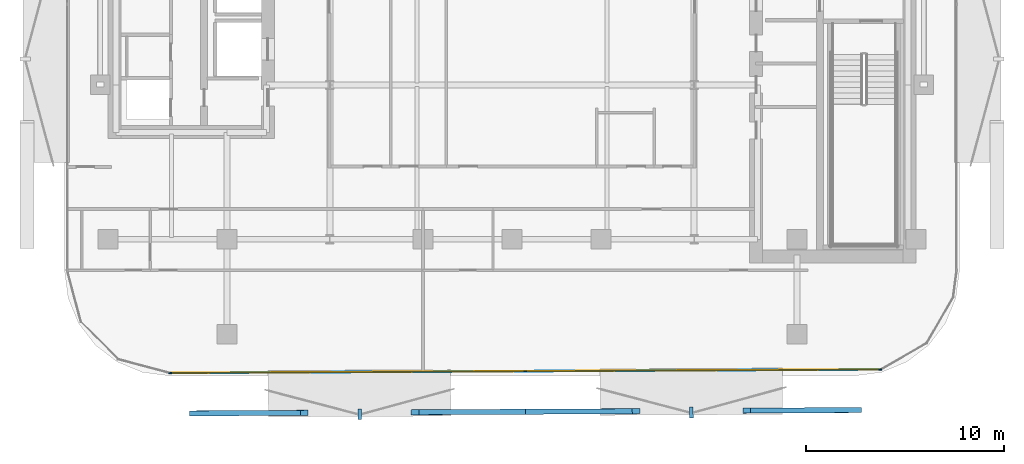
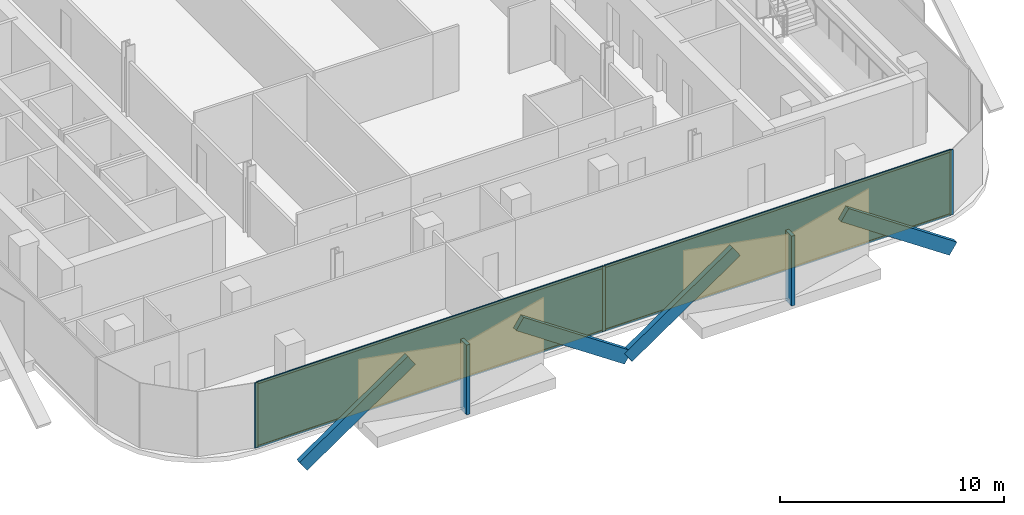
# One storey, part 8 of 16: 13 members, 2 plates, 1 curtain wall.
"""IFC4 building model written with IfcOpenShell, lengths in metres."""

from ifc_helpers import new_model, si_unit, direction, frame, frame_2d, origin, origin_2d, place, context, subcontext, project, spatial, rectangle, extrude, material, layer, layer_set, material_profile, profile_set, type_object, element, aggregate, save


model = new_model("IFC4")

# Units and contexts
model_context = context("Model", 3, precision=1e-05, world=origin(), true_north=direction((0.0, 1.0)))
body_context = subcontext(model_context, "Body", "Model", "MODEL_VIEW")
ifc_project = project(units=[si_unit("LENGTHUNIT", "METRE"), si_unit("AREAUNIT", "SQUARE_METRE"), si_unit("VOLUMEUNIT", "CUBIC_METRE"), si_unit("PLANEANGLEUNIT", "RADIAN"), si_unit("MASSUNIT", "GRAM", prefix="KILO")], contexts=[model_context])

# Member
ifc_material_1 = material(Name="Anodised Bronze Aluminium 6063-T6", Category="aluminium")
ifc_material_profile_1 = material_profile(ifc_material_1, rectangle(XDim=0.260009765625, YDim=0.699951171875, at=origin_2d()))
ifc_profile_set_1 = profile_set([ifc_material_profile_1], Name="Anodised Bronze Aluminium 6063-T6")
member_type_1 = type_object("IfcMemberType", Name="Bronze Diamond Solar-Screen Lattice Rib BDL-700", PredefinedType="MULLION", material=ifc_profile_set_1)
site_placement = place(None, origin())
building_placement = place(site_placement, origin())
storey_placement = place(building_placement, frame((0.0, 0.0, 184.0)))
member_1_placement = place(storey_placement, frame((17.4453125, -27.22900390625, -0.1298828125), z_axis=(-0.826905619477, -0.004046551727, 0.562326170382), x_axis=(-0.007641490936, 0.999962638045, -0.004041055487)))
member_1 = element("IfcMember", 1, at=member_1_placement, type_object=member_type_1, Name="L42 Bronze Diamond Solar Screen Lattice Rib 273A", PredefinedType="MULLION", context=body_context, shape_type="SweptSolid", body=[
    extrude(rectangle(XDim=0.260009765625, YDim=0.699951171875, at=origin_2d()), origin(), (0.0, 0.0, 1.0), 6.75732421875),
])

member_2_placement = place(storey_placement, frame((0.682373046875, -27.3115234375, -0.1298828125), z_axis=(0.826905498042, 0.004082681054, 0.562326087802), x_axis=(0.007685180763, -0.999962303222, -0.004041055761)))
member_2 = element("IfcMember", 2, at=member_2_placement, type_object=member_type_1, Name="L42 Bronze Diamond Solar Screen Lattice Rib 273B", PredefinedType="MULLION", context=body_context, shape_type="SweptSolid", body=[
    extrude(rectangle(XDim=0.260009765625, YDim=0.699951171875, at=origin_2d()), origin(), (0.0, 0.0, 1.0), 6.75732421875),
])

member_3_placement = place(storey_placement, frame((0.682373046875, -27.3115234375, -0.1298828125), z_axis=(-0.826916922797, -0.004082559082, 0.562309288117), x_axis=(-0.007684882964, 0.999962305285, -0.004041111589)))
member_3 = element("IfcMember", 3, at=member_3_placement, type_object=member_type_1, Name="L42 Bronze Diamond Solar Screen Lattice Rib 274A", PredefinedType="MULLION", context=body_context, shape_type="SweptSolid", body=[
    extrude(rectangle(XDim=0.260009765625, YDim=0.699951171875, at=origin_2d()), origin(), (0.0, 0.0, 1.0), 6.757568359375),
])

member_4_placement = place(storey_placement, frame((-16.080810546875, -27.39404296875, -0.1298828125), z_axis=(0.826905498042, 0.004082681054, 0.562326087802), x_axis=(0.007685180763, -0.999962303222, -0.004041055761)))
member_4 = element("IfcMember", 4, at=member_4_placement, type_object=member_type_1, Name="L42 Bronze Diamond Solar Screen Lattice Rib 274B", PredefinedType="MULLION", context=body_context, shape_type="SweptSolid", body=[
    extrude(rectangle(XDim=0.260009765625, YDim=0.699951171875, at=origin_2d()), origin(), (0.0, 0.0, 1.0), 6.75732421875),
])

ifc_material_2 = material(Name="Anodised Bronze Aluminium 6063-T6", Category="aluminium")
ifc_material_profile_2 = material_profile(ifc_material_2, rectangle(XDim=0.179931640625, YDim=0.5400390625, at=origin_2d()))
ifc_profile_set_2 = profile_set([ifc_material_profile_2], Name="Anodised Bronze Aluminium 6063-T6")
member_type_2 = type_object("IfcMemberType", Name="Bronze Solar-Screen Vertical Fold Fin BSF-540", PredefinedType="MULLION", material=ifc_profile_set_2)
member_5_placement = place(storey_placement, frame((9.064208984375, -27.35009765625, -0.1298828125), z_axis=(0.0, 0.0, 1.0), x_axis=(-0.999988059021, -0.004886902454, 0.0)))
member_5 = element("IfcMember", 5, at=member_5_placement, type_object=member_type_2, Name="L42 Bronze Solar Screen Vertical Fin 273", PredefinedType="MULLION", context=body_context, shape_type="SweptSolid", body=[
    extrude(rectangle(XDim=0.179931640625, YDim=0.5400390625, at=origin_2d()), origin(), (0.0, 0.0, 1.0), 3.7998046875),
])

member_6_placement = place(storey_placement, frame((-7.698974609375, -27.432861328125, -0.1298828125), z_axis=(0.0, 0.0, 1.0), x_axis=(-0.999988059021, -0.004886902454, 0.0)))
member_6 = element("IfcMember", 6, at=member_6_placement, type_object=member_type_2, Name="L42 Bronze Solar Screen Vertical Fin 274", PredefinedType="MULLION", context=body_context, shape_type="SweptSolid", body=[
    extrude(rectangle(XDim=0.179931640625, YDim=0.5400390625, at=origin_2d()), origin(), (0.0, 0.0, 1.0), 3.7998046875),
])

ifc_material_3 = material(Name="Anodised Bronze Aluminium 6063-T6", Category="aluminium")
ifc_material_profile_3 = material_profile(ifc_material_3, rectangle(XDim=0.06005859375, YDim=0.1650390625, at=origin_2d()))
ifc_profile_set_3 = profile_set([ifc_material_profile_3], Name="Anodised Bronze Aluminium 6063-T6")
member_type_3 = type_object("IfcMemberType", Name="CW-Z3 Mullion 60x165", PredefinedType="MULLION", material=ifc_profile_set_3)
member_7_placement = place(storey_placement, frame((18.605224609375, -25.18310546875, 0.0), z_axis=(0.0, 0.0, 1.0), x_axis=(0.004926734175, -0.999987863572, 0.0)))
member_7 = element("IfcMember", 7, at=member_7_placement, type_object=member_type_3, Name="CW-Z3 mullion 1", PredefinedType="MULLION", context=body_context, shape_type="SweptSolid", body=[
    extrude(rectangle(XDim=0.06005859375, YDim=0.1650390625, at=origin_2d()), origin(), (0.0, 0.0, 1.0), 3.5400390625),
])

member_8_placement = place(storey_placement, frame((0.672119140625, -25.271484375, 0.0), z_axis=(0.0, 0.0, 1.0), x_axis=(0.004926734175, -0.999987863572, 0.0)))
member_8 = element("IfcMember", 8, at=member_8_placement, type_object=member_type_3, Name="CW-Z3 mullion 2", PredefinedType="MULLION", context=body_context, shape_type="SweptSolid", body=[
    extrude(rectangle(XDim=0.06005859375, YDim=0.1650390625, at=origin_2d()), origin(), (0.0, 0.0, 1.0), 3.5400390625),
])

member_9_placement = place(storey_placement, frame((-17.2607421875, -25.35986328125, 0.0), z_axis=(0.0, 0.0, 1.0), x_axis=(0.004926734175, -0.999987863572, 0.0)))
member_9 = element("IfcMember", 9, at=member_9_placement, type_object=member_type_3, Name="CW-Z3 mullion 3", PredefinedType="MULLION", context=body_context, shape_type="SweptSolid", body=[
    extrude(rectangle(XDim=0.06005859375, YDim=0.1650390625, at=origin_2d()), origin(), (0.0, 0.0, 1.0), 3.5400390625),
])

ifc_material_4 = material(Name="Anodised Bronze Aluminium 6063-T6", Category="aluminium")
ifc_material_profile_4 = material_profile(ifc_material_4, rectangle(XDim=0.06005859375, YDim=0.1298828125, at=origin_2d()))
ifc_profile_set_4 = profile_set([ifc_material_profile_4], Name="Anodised Bronze Aluminium 6063-T6")
member_type_4 = type_object("IfcMemberType", Name="CW-Z3 Transom 60x130", PredefinedType="USERDEFINED", material=ifc_profile_set_4)
member_10_placement = place(storey_placement, frame((18.5751953125, -25.183349609375, 0.030029296875), z_axis=(-0.999987909339, -0.0049174359, 0.0), x_axis=(0.0049174359, -0.999987909339, 0.0)))
member_10 = element("IfcMember", 10, at=member_10_placement, type_object=member_type_4, Name="CW-Z3 transom 1.1", ObjectType="TRANSOM", PredefinedType="USERDEFINED", context=body_context, shape_type="SweptSolid", body=[
    extrude(rectangle(XDim=0.06005859375, YDim=0.1298828125, at=origin_2d()), origin(), (0.0, 0.0, 1.0), 17.873291015625),
])

member_11_placement = place(storey_placement, frame((18.5751953125, -25.183349609375, 3.510009765625), z_axis=(-0.999987909339, -0.0049174359, 0.0), x_axis=(0.0049174359, -0.999987909339, 0.0)))
member_11 = element("IfcMember", 11, at=member_11_placement, type_object=member_type_4, Name="CW-Z3 transom 1.2", ObjectType="TRANSOM", PredefinedType="USERDEFINED", context=body_context, shape_type="SweptSolid", body=[
    extrude(rectangle(XDim=0.06005859375, YDim=0.1298828125, at=origin_2d()), origin(), (0.0, 0.0, 1.0), 17.873291015625),
])

member_12_placement = place(storey_placement, frame((0.64208984375, -25.271728515625, 0.030029296875), z_axis=(-0.999987909009, -0.00491750307, 0.0), x_axis=(0.00491750307, -0.999987909009, 0.0)))
member_12 = element("IfcMember", 12, at=member_12_placement, type_object=member_type_4, Name="CW-Z3 transom 2.1", ObjectType="TRANSOM", PredefinedType="USERDEFINED", context=body_context, shape_type="SweptSolid", body=[
    extrude(rectangle(XDim=0.06005859375, YDim=0.1298828125, at=origin_2d()), origin(), (0.0, 0.0, 1.0), 17.873046875),
])

member_13_placement = place(storey_placement, frame((0.64208984375, -25.271728515625, 3.510009765625), z_axis=(-0.999987909009, -0.00491750307, 0.0), x_axis=(0.00491750307, -0.999987909009, 0.0)))
member_13 = element("IfcMember", 13, at=member_13_placement, type_object=member_type_4, Name="CW-Z3 transom 2.2", ObjectType="TRANSOM", PredefinedType="USERDEFINED", context=body_context, shape_type="SweptSolid", body=[
    extrude(rectangle(XDim=0.06005859375, YDim=0.1298828125, at=origin_2d()), origin(), (0.0, 0.0, 1.0), 17.873046875),
])

# Plate
ifc_material_5 = material(Name="Low-E Solar Control Laminated Glass", Category="glass")
ifc_layer_1 = layer(ifc_material_5, 0.030029296875, Name="Low-E Solar Control Laminated Glass")
ifc_layer_set_1 = layer_set([ifc_layer_1], Name="Low-E Solar Control Laminated Glass")
plate_type = type_object("IfcPlateType", Name="CW-Z3 Low-E Double Glazed Panel 30mm", PredefinedType="CURTAIN_PANEL", material=ifc_layer_set_1)
plate_1_placement = place(storey_placement, frame((9.638671875, -25.227294921875, 0.06005859375), z_axis=(0.0, 0.0, 1.0), x_axis=(-0.999987863572, -0.004926734175, 0.0)))
plate_1 = element("IfcPlate", 14, at=plate_1_placement, type_object=plate_type, Name="CW-Z3 panel 1.1", PredefinedType="CURTAIN_PANEL", context=body_context, shape_type="SweptSolid", body=[
    extrude(rectangle(XDim=17.873291015625, YDim=0.030029296875, at=origin_2d()), origin(), (0.0, 0.0, 1.0), 3.419921875),
])

plate_2_placement = place(storey_placement, frame((-8.294189453125, -25.315673828125, 0.06005859375), z_axis=(0.0, 0.0, 1.0), x_axis=(-0.999987863572, -0.004926734175, 0.0)))
plate_2 = element("IfcPlate", 15, at=plate_2_placement, type_object=plate_type, Name="CW-Z3 panel 2.1", PredefinedType="CURTAIN_PANEL", context=body_context, shape_type="SweptSolid", body=[
    extrude(rectangle(XDim=17.873291015625, YDim=0.030029296875, at=origin_2d()), origin(), (0.0, 0.0, 1.0), 3.419921875),
])

# Site, building, storey
site = spatial("IfcSite", under=ifc_project, at=site_placement, CompositionType="ELEMENT")
building = spatial("IfcBuilding", under=site, at=building_placement, Name="Khairoan Windgate Tower", CompositionType="ELEMENT")
storey = spatial("IfcBuildingStorey", under=building, at=storey_placement, Name="L42", CompositionType="ELEMENT", Elevation=184.0)

# Curtain wall
ifc_material_6 = material(Name="Anodised Bronze Aluminium 6063-T6", Category="aluminium")
ifc_layer_2 = layer(ifc_material_6, 0.1650390625, Name="Anodised Bronze Aluminium 6063-T6")
ifc_layer_set_2 = layer_set([ifc_layer_2], Name="Anodised Bronze Aluminium 6063-T6")
curtain_wall_type = type_object("IfcCurtainWallType", Name="Luxury Hotel Acoustic Curtain Wall CW-Z3", PredefinedType="NOTDEFINED", material=ifc_layer_set_2)
curtain_wall_placement = place(storey_placement, frame((18.63525390625, -25.18310546875, 0.0), z_axis=(0.0, 0.0, 1.0), x_axis=(-0.999987863321, -0.004926785053, 0.0)))
curtain_wall = element("IfcCurtainWall", 16, at=curtain_wall_placement, inside=storey, type_object=curtain_wall_type, Name="L42 Unitised Curtain Wall 1", PredefinedType="NOTDEFINED", context=body_context, shape_type="SweptSolid", body=[
    extrude(rectangle(XDim=35.926513671875, YDim=0.010009765625, at=frame_2d((17.96337890625, 0.0))), origin(), (0.0, 0.0, 1.0), 3.5400390625),
])

aggregate(curtain_wall, [member_7, member_8, member_9, member_10, member_11, plate_1, member_12, member_13, plate_2, member_1, member_2, member_5, member_3, member_4, member_6])

save(model, "model.ifc")
